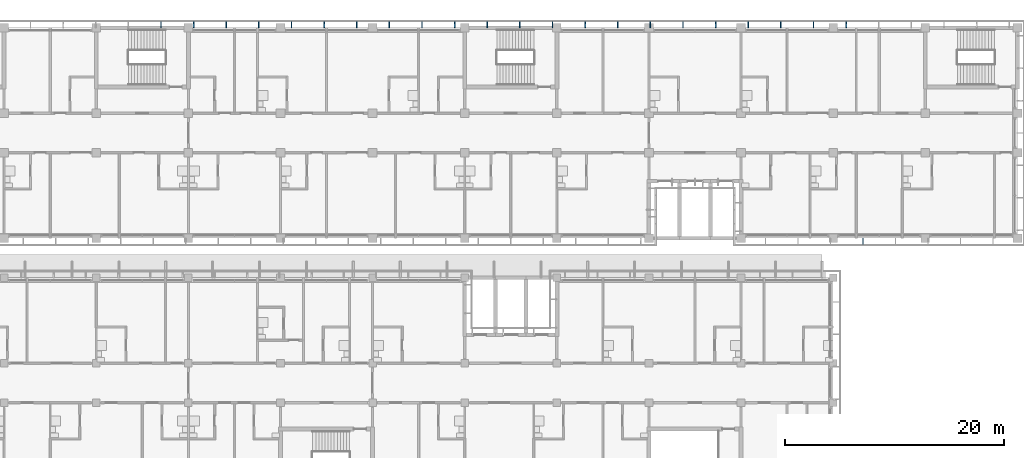
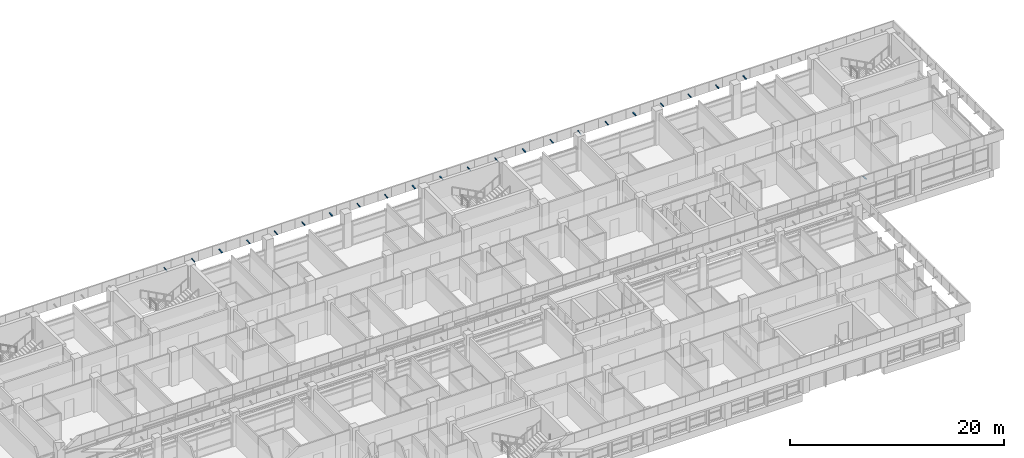
# One storey, part 57 of 71: 23 discrete accessories.
"""IFC4 building model written with IfcOpenShell, lengths in metres."""

from ifc_helpers import new_model, si_unit, direction, frame, origin, origin_2d, place, context, subcontext, project, spatial, rectangle, extrude, material, material_profile, profile_set, type_object, element, save


model = new_model("IFC4")

# Units and contexts
model_context = context("Model", 3, precision=1e-05, world=origin(), true_north=direction((0.0, 1.0)))
body_context = subcontext(model_context, "Body", "Model", "MODEL_VIEW")
ifc_project = project(units=[si_unit("LENGTHUNIT", "METRE"), si_unit("AREAUNIT", "SQUARE_METRE"), si_unit("VOLUMEUNIT", "CUBIC_METRE"), si_unit("PLANEANGLEUNIT", "RADIAN"), si_unit("MASSUNIT", "GRAM", prefix="KILO")], contexts=[model_context])

# Site, building, storey
site_placement = place(None, origin())
site = spatial("IfcSite", under=ifc_project, at=site_placement, CompositionType="ELEMENT")
building_placement = place(site_placement, origin())
building = spatial("IfcBuilding", under=site, at=building_placement, Name="Bougainvillea Quay General Hospital", CompositionType="ELEMENT")
storey_placement = place(building_placement, frame((0.0, 0.0, 24.89990234375)))
storey = spatial("IfcBuildingStorey", under=building, at=storey_placement, Name="L05", CompositionType="ELEMENT", Elevation=24.89990234375)

# Discrete accessories
ifc_material = material(Name="Stainless steel bracket, grade 316", Category="steel")
ifc_material_profile = material_profile(ifc_material, rectangle(XDim=0.080078125, YDim=0.050048828125, at=origin_2d()))
ifc_profile_set = profile_set([ifc_material_profile], Name="Stainless steel bracket, grade 316")
discrete_accessory_type = type_object("IfcDiscreteAccessoryType", Name="Stainless steel stand-off bracket 80x50", PredefinedType="BRACKET", material=ifc_profile_set)
for number, where, z_axis, x_axis, name in (
    (1, (169.18115234375, 159.60009765625, 3.840087890625), (0.0, 0.994086591779, 0.108590276011), (-1.0, 0.0, 0.0), "Fascia bracket e0 11"),
    (2, (166.206298828125, 159.60009765625, 3.840087890625), (0.0, 0.994086591779, 0.108590276011), (-1.0, 0.0, 0.0), "Fascia bracket e0 13"),
    (3, (163.231201171875, 159.60009765625, 3.840087890625), (0.0, 0.994086591779, 0.108590276011), (-1.0, 0.0, 0.0), "Fascia bracket e0 15"),
    (4, (160.25634765625, 159.60009765625, 3.840087890625), (0.0, 0.994086591779, 0.108590276011), (-1.0, 0.0, 0.0), "Fascia bracket e0 17"),
    (5, (157.28125, 159.60009765625, 3.840087890625), (0.0, 0.994086591779, 0.108590276011), (-1.0, 0.0, 0.0), "Fascia bracket e0 19"),
    (6, (154.30615234375, 159.60009765625, 3.840087890625), (0.0, 0.994086591779, 0.108590276011), (-1.0, 0.0, 0.0), "Fascia bracket e0 21"),
    (7, (151.331298828125, 159.60009765625, 3.840087890625), (0.0, 0.994086591779, 0.108590276011), (-1.0, 0.0, 0.0), "Fascia bracket e0 23"),
    (8, (148.356201171875, 159.60009765625, 3.840087890625), (0.0, 0.994086591779, 0.108590276011), (-1.0, 0.0, 0.0), "Fascia bracket e0 25"),
    (9, (145.38134765625, 159.60009765625, 3.840087890625), (0.0, 0.994086591779, 0.108590276011), (-1.0, 0.0, 0.0), "Fascia bracket e0 27"),
    (10, (142.40625, 159.60009765625, 3.840087890625), (0.0, 0.994086591779, 0.108590276011), (-1.0, 0.0, 0.0), "Fascia bracket e0 29"),
    (11, (139.43115234375, 159.60009765625, 3.840087890625), (0.0, 0.994086591779, 0.108590276011), (-1.0, 0.0, 0.0), "Fascia bracket e0 31"),
    (12, (136.456298828125, 159.60009765625, 3.840087890625), (0.0, 0.994086591779, 0.108590276011), (-1.0, 0.0, 0.0), "Fascia bracket e0 33"),
    (13, (133.481201171875, 159.60009765625, 3.840087890625), (0.0, 0.994086591779, 0.108590276011), (-1.0, 0.0, 0.0), "Fascia bracket e0 35"),
    (14, (130.50634765625, 159.60009765625, 3.840087890625), (0.0, 0.994086591779, 0.108590276011), (-1.0, 0.0, 0.0), "Fascia bracket e0 37"),
    (15, (127.53125, 159.60009765625, 3.840087890625), (0.0, 0.994086591779, 0.108590276011), (-1.0, 0.0, 0.0), "Fascia bracket e0 39"),
    (16, (124.55615234375, 159.60009765625, 3.840087890625), (0.0, 0.994086591779, 0.108590276011), (-1.0, 0.0, 0.0), "Fascia bracket e0 41"),
    (17, (121.581298828125, 159.60009765625, 3.840087890625), (0.0, 0.994086591779, 0.108590276011), (-1.0, 0.0, 0.0), "Fascia bracket e0 43"),
    (18, (118.606201171875, 159.60009765625, 3.840087890625), (0.0, 0.994086591779, 0.108590276011), (-1.0, 0.0, 0.0), "Fascia bracket e0 45"),
    (19, (115.63134765625, 159.60009765625, 3.840087890625), (0.0, 0.994086591779, 0.108590276011), (-1.0, 0.0, 0.0), "Fascia bracket e0 47"),
    (20, (112.65625, 159.60009765625, 3.840087890625), (0.0, 0.994086591779, 0.108590276011), (-1.0, 0.0, 0.0), "Fascia bracket e0 49"),
    (21, (109.68115234375, 159.60009765625, 3.840087890625), (0.0, 0.994086591779, 0.108590276011), (-1.0, 0.0, 0.0), "Fascia bracket e0 51"),
    (22, (106.706298828125, 159.60009765625, 3.840087890625), (0.0, 0.994086591779, 0.108590276011), (-1.0, 0.0, 0.0), "Fascia bracket e0 53"),
    (23, (170.717529296875, 140.39990234375, 3.840087890625), (0.0, -0.994086591779, 0.108590276011), (1.0, 0.0, 0.0), "Fascia bracket e0 213"),
):
    element("IfcDiscreteAccessory", number, at=place(storey_placement, frame(where, z_axis=z_axis, x_axis=x_axis)), inside=storey, type_object=discrete_accessory_type, Name=name, PredefinedType="BRACKET", context=body_context, shape_type="SweptSolid", body=[
        extrude(rectangle(XDim=0.080078125, YDim=0.050048828125, at=origin_2d()), origin(), (0.0, 0.0, 1.0), 0.552978515625),
    ])

save(model, "model.ifc")
